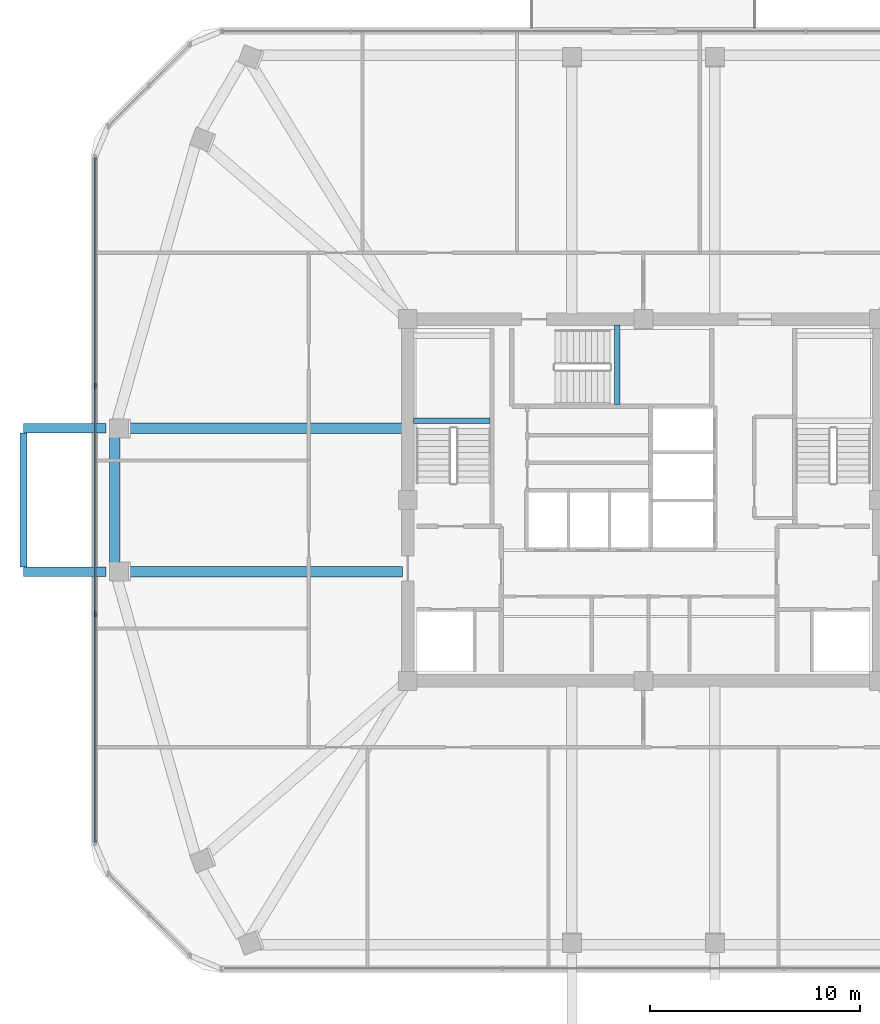
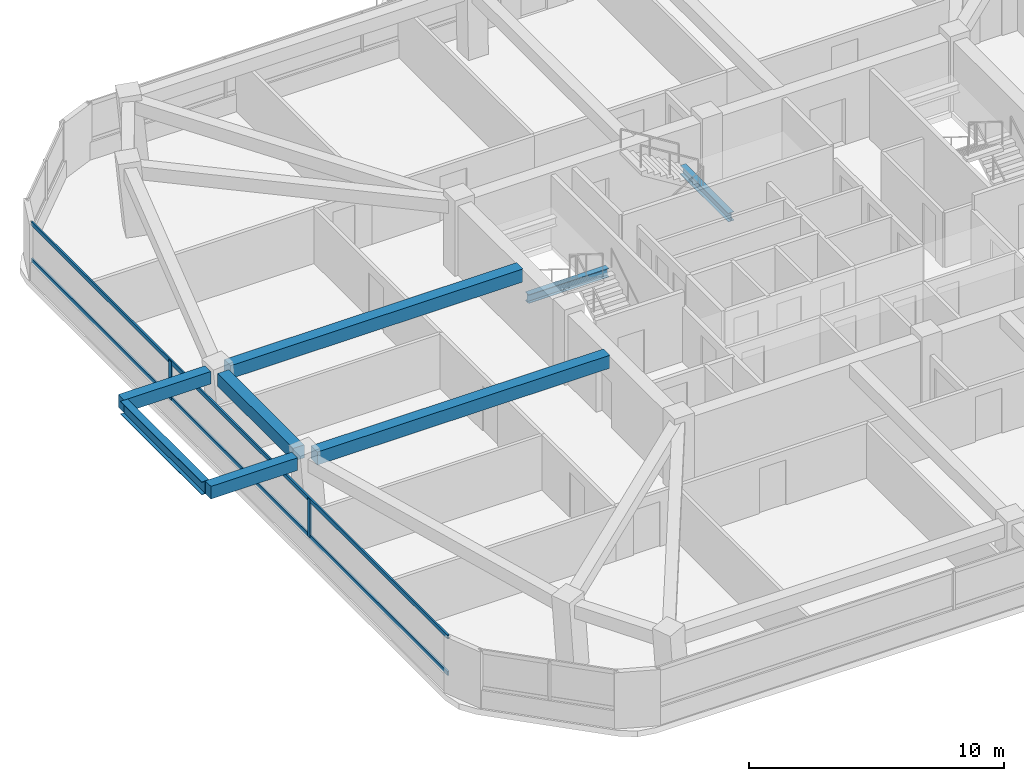
# One storey, part 4 of 14: 8 beams, 4 members, 1 element without a shape of its own.
"""IFC4 building model written with IfcOpenShell, lengths in metres."""

from ifc_helpers import new_model, si_unit, derived_unit, direction, frame, origin, origin_2d, place, context, subcontext, project, spatial, rectangle, i_section, extrude, material, material_profile, profile_set, type_object, element, aggregate, save


model = new_model("IFC4")

# Units and contexts
model_context = context("Model", 3, precision=1e-05, world=origin(), true_north=direction((0.0, 1.0)))
body_context = subcontext(model_context, "Body", "Model", "MODEL_VIEW")
ifc_project = project(units=[si_unit("LENGTHUNIT", "METRE"), si_unit("AREAUNIT", "SQUARE_METRE"), si_unit("VOLUMEUNIT", "CUBIC_METRE"), si_unit("PLANEANGLEUNIT", "RADIAN"), si_unit("MASSUNIT", "GRAM", prefix="KILO"), derived_unit("THERMALTRANSMITTANCEUNIT", [(si_unit("POWERUNIT", "WATT"), 1), (si_unit("LENGTHUNIT", "METRE"), -2), (si_unit("THERMODYNAMICTEMPERATUREUNIT", "KELVIN"), -1)])], contexts=[model_context])

# Site, building, storey
site_placement = place(None, origin())
site = spatial("IfcSite", under=ifc_project, at=site_placement, CompositionType="ELEMENT")
building_placement = place(site_placement, origin())
building = spatial("IfcBuilding", under=site, at=building_placement, Name="Koralith Skygarden Medical Center", CompositionType="ELEMENT")
storey_placement = place(building_placement, frame((0.0, 0.0, 210.780029296875)))
storey = spatial("IfcBuildingStorey", under=building, at=storey_placement, Name="L54", CompositionType="ELEMENT", Elevation=210.780029296875)

# Curtain wall, members
ifc_material_1 = material(Name="Clear Laminated Glass", Category="glass")
curtain_wall_type = type_object("IfcCurtainWallType", Name="CW-5 Zone 4 Flare Biophilic Curtain Wall", PredefinedType="NOTDEFINED", material=ifc_material_1)
curtain_wall_placement = place(storey_placement, origin())
curtain_wall = element("IfcCurtainWall", 1, at=curtain_wall_placement, inside=storey, type_object=curtain_wall_type, Name="Curtain Wall CW-L54-W", PredefinedType="NOTDEFINED")
ifc_material_2 = material(Name="Aluminium 6063-T6", Category="aluminium")
ifc_material_profile_1 = material_profile(ifc_material_2, rectangle(XDim=0.080078125, YDim=0.219970703125, at=origin_2d()), Name="MUL80X220")
ifc_profile_set_1 = profile_set([ifc_material_profile_1], Name="Aluminium 6063-T6")
member_type_1 = type_object("IfcMemberType", Name="CW-5 Extruded Mullion 80x220", PredefinedType="MULLION", material=ifc_profile_set_1)
member_1_placement = place(storey_placement, frame((10.945068359375, 31.3330078125, 0.849853515625), z_axis=(0.0, 0.0, 1.0), x_axis=(1.0, 0.0, 0.0)))
member_1 = element("IfcMember", 2, at=member_1_placement, type_object=member_type_1, Name="CW-L54-W Mullion 2", PredefinedType="MULLION", context=body_context, shape_type="SweptSolid", body=[
    extrude(rectangle(XDim=0.080078125, YDim=0.219970703125, at=origin_2d()), origin(), (0.0, 0.0, 1.0), 1.840087890625),
])
member_2_placement = place(storey_placement, frame((10.945068359375, 20.467041015625, 0.849853515625), z_axis=(0.0, 0.0, 1.0), x_axis=(1.0, 0.0, 0.0)))
member_2 = element("IfcMember", 3, at=member_2_placement, type_object=member_type_1, Name="CW-L54-W Mullion 3", PredefinedType="MULLION", context=body_context, shape_type="SweptSolid", body=[
    extrude(rectangle(XDim=0.080078125, YDim=0.219970703125, at=origin_2d()), origin(), (0.0, 0.0, 1.0), 1.840087890625),
])
ifc_material_profile_2 = material_profile(ifc_material_2, rectangle(XDim=0.074951171875, YDim=0.197998046875, at=origin_2d()), Name="TRN75X198")
ifc_profile_set_2 = profile_set([ifc_material_profile_2], Name="Aluminium 6063-T6")
member_type_2 = type_object("IfcMemberType", Name="CW-5 Thermal Transom 75x198", PredefinedType="USERDEFINED", material=ifc_profile_set_2)
member_3_placement = place(storey_placement, frame((10.945068359375, 42.197998046875, 0.89990234375), z_axis=(0.0, -1.0, 0.0), x_axis=(1.0, 0.0, 0.0)))
member_3 = element("IfcMember", 4, at=member_3_placement, type_object=member_type_2, Name="CW-L54-W Transom 1", ObjectType="TRANSOM", PredefinedType="USERDEFINED", context=body_context, shape_type="SweptSolid", body=[
    extrude(rectangle(XDim=0.074951171875, YDim=0.197998046875, at=origin_2d()), origin(), (0.0, 0.0, 1.0), 32.595947265625),
])
member_4_placement = place(storey_placement, frame((10.945068359375, 42.197998046875, 2.639892578125), z_axis=(0.0, -1.0, 0.0), x_axis=(1.0, 0.0, 0.0)))
member_4 = element("IfcMember", 5, at=member_4_placement, type_object=member_type_2, Name="CW-L54-W Transom 2", ObjectType="TRANSOM", PredefinedType="USERDEFINED", context=body_context, shape_type="SweptSolid", body=[
    extrude(rectangle(XDim=0.074951171875, YDim=0.197998046875, at=origin_2d()), origin(), (0.0, 0.0, 1.0), 32.595947265625),
])
aggregate(curtain_wall, [member_1, member_2, member_3, member_4])

# Beams
ifc_material_3 = material(Name="Steel ASTM A992 Grade 50", Category="steel")
ifc_material_profile_3 = material_profile(ifc_material_3, i_section(OverallWidth=0.326904296875, OverallDepth=0.6220703125, WebThickness=0.015380859375, FlangeThickness=0.0244140625, at=origin_2d()), Name="W24X131")
ifc_profile_set_3 = profile_set([ifc_material_profile_3], Name="Steel ASTM A992 Grade 50")
beam_type_1 = type_object("IfcBeamType", Name="Cantilever Tie Beam W24X131", PredefinedType="BEAM", material=ifc_profile_set_3)
beam_1_placement = place(storey_placement, frame((7.532958984375, 22.719970703125, 3.029052734375), z_axis=(0.0, 1.0, 0.0), x_axis=(-1.0, 0.0, 0.0)))
element("IfcBeam", 6, at=beam_1_placement, inside=storey, type_object=beam_type_1, Name="L55 W Balcony Tip Tie Beam", PredefinedType="BEAM", context=body_context, shape_type="SweptSolid", body=[
    extrude(i_section(OverallWidth=0.326904296875, OverallDepth=0.6220703125, WebThickness=0.015380859375, FlangeThickness=0.0244140625, at=origin_2d()), origin(), (0.0, 0.0, 1.0), 6.360107421875),
])
ifc_material_profile_4 = material_profile(ifc_material_3, i_section(OverallWidth=0.260009765625, OverallDepth=0.4150390625, WebThickness=0.010009765625, FlangeThickness=0.016845703125, at=origin_2d()), Name="W16X67")
ifc_profile_set_4 = profile_set([ifc_material_profile_4], Name="Steel ASTM A992 Grade 50")
beam_type_2 = type_object("IfcBeamType", Name="Clinical Floor Joist W16X67", PredefinedType="JOIST", material=ifc_profile_set_4)
beam_2_placement = place(storey_placement, frame((26.080078125, 29.659912109375, 1.39306640625), z_axis=(1.0, 0.0, 0.0), x_axis=(0.0, 1.0, 0.0)))
element("IfcBeam", 7, at=beam_2_placement, inside=storey, type_object=beam_type_2, Name="L54 Stair ST1 Half-Landing Support Beam 1A", PredefinedType="JOIST", context=body_context, shape_type="SweptSolid", body=[
    extrude(i_section(OverallWidth=0.260009765625, OverallDepth=0.4150390625, WebThickness=0.010009765625, FlangeThickness=0.016845703125, at=origin_2d()), origin(), (0.0, 0.0, 1.0), 3.639892578125),
])
beam_3_placement = place(storey_placement, frame((35.760009765625, 30.43994140625, 1.39306640625), z_axis=(0.0, 1.0, 0.0), x_axis=(-1.0, 0.0, 0.0)))
element("IfcBeam", 8, at=beam_3_placement, inside=storey, type_object=beam_type_2, Name="L54 Stair ST3 Half-Landing Support Beam 1A", PredefinedType="JOIST", context=body_context, shape_type="SweptSolid", body=[
    extrude(i_section(OverallWidth=0.260009765625, OverallDepth=0.4150390625, WebThickness=0.010009765625, FlangeThickness=0.016845703125, at=origin_2d()), origin(), (0.0, 0.0, 1.0), 3.780029296875),
])
ifc_material_4 = material(Name="Concrete C45/55", Category="concrete")
ifc_material_profile_5 = material_profile(ifc_material_4, rectangle(XDim=0.449951171875, YDim=0.60009765625, at=origin_2d()), Name="RCB450X600")
ifc_profile_set_5 = profile_set([ifc_material_profile_5], Name="Concrete C45/55")
beam_type_3 = type_object("IfcBeamType", Name="Planted Balcony Cantilever Beam RCB450X600", PredefinedType="BEAM", material=ifc_profile_set_5)
for number, where, z_axis, x_axis, name in (
    (9, (11.452880859375, 22.5, 3.0400390625), (-1.0, 0.0, 0.0), (0.0, -1.0, 0.0), "L55 W Balcony Cantilever Beam A"),
    (10, (11.452880859375, 29.300048828125, 3.0400390625), (-1.0, 0.0, 0.0), (0.0, -1.0, 0.0), "L55 W Balcony Cantilever Beam B"),
):
    element("IfcBeam", number, at=place(storey_placement, frame(where, z_axis=z_axis, x_axis=x_axis)), inside=storey, type_object=beam_type_3, Name=name, PredefinedType="BEAM", context=body_context, shape_type="SweptSolid", body=[
        extrude(rectangle(XDim=0.449951171875, YDim=0.60009765625, at=origin_2d()), origin(), (0.0, 0.0, 1.0), 3.919921875),
    ])
ifc_material_profile_6 = material_profile(ifc_material_4, rectangle(XDim=0.5, YDim=0.6201171875, at=origin_2d()), Name="RCB500X620")
ifc_profile_set_6 = profile_set([ifc_material_profile_6], Name="Concrete C45/55")
beam_type_4 = type_object("IfcBeamType", Name="Upper Radial Collector Beam RCB500X620", PredefinedType="BEAM", material=ifc_profile_set_6)
for number, where, z_axis, x_axis, name in (
    (11, (25.550048828125, 22.5, 3.010009765625), (-1.0, 0.0, 0.0), (0.0, -1.0, 0.0), "L54 Radial Collector Beam RB-01"),
    (12, (25.550048828125, 29.300048828125, 3.010009765625), (-1.0, 0.0, 0.0), (0.0, -1.0, 0.0), "L54 Radial Collector Beam RB-16"),
):
    element("IfcBeam", number, at=place(storey_placement, frame(where, z_axis=z_axis, x_axis=x_axis)), inside=storey, type_object=beam_type_4, Name=name, PredefinedType="BEAM", context=body_context, shape_type="SweptSolid", body=[
        extrude(rectangle(XDim=0.5, YDim=0.6201171875, at=origin_2d()), origin(), (0.0, 0.0, 1.0), 13.22705078125),
    ])
ifc_material_profile_7 = material_profile(ifc_material_4, rectangle(XDim=0.5, YDim=0.6201171875, at=origin_2d()), Name="RCB500X620")
ifc_profile_set_7 = profile_set([ifc_material_profile_7], Name="Concrete C45/55")
beam_type_5 = type_object("IfcBeamType", Name="Zone 4-5 Spandrel Beam RCB500X620", PredefinedType="SPANDREL", material=ifc_profile_set_7)
beam_4_placement = place(storey_placement, frame((11.883056640625, 28.860107421875, 3.010009765625), z_axis=(0.0, -1.0, 0.0), x_axis=(1.0, 0.0, 0.0)))
element("IfcBeam", 13, at=beam_4_placement, inside=storey, type_object=beam_type_5, Name="L54 Perimeter Spandrel Beam SP-16", PredefinedType="SPANDREL", context=body_context, shape_type="SweptSolid", body=[
    extrude(rectangle(XDim=0.5, YDim=0.6201171875, at=origin_2d()), origin(), (0.0, 0.0, 1.0), 5.920166015625),
])

save(model, "model.ifc")
